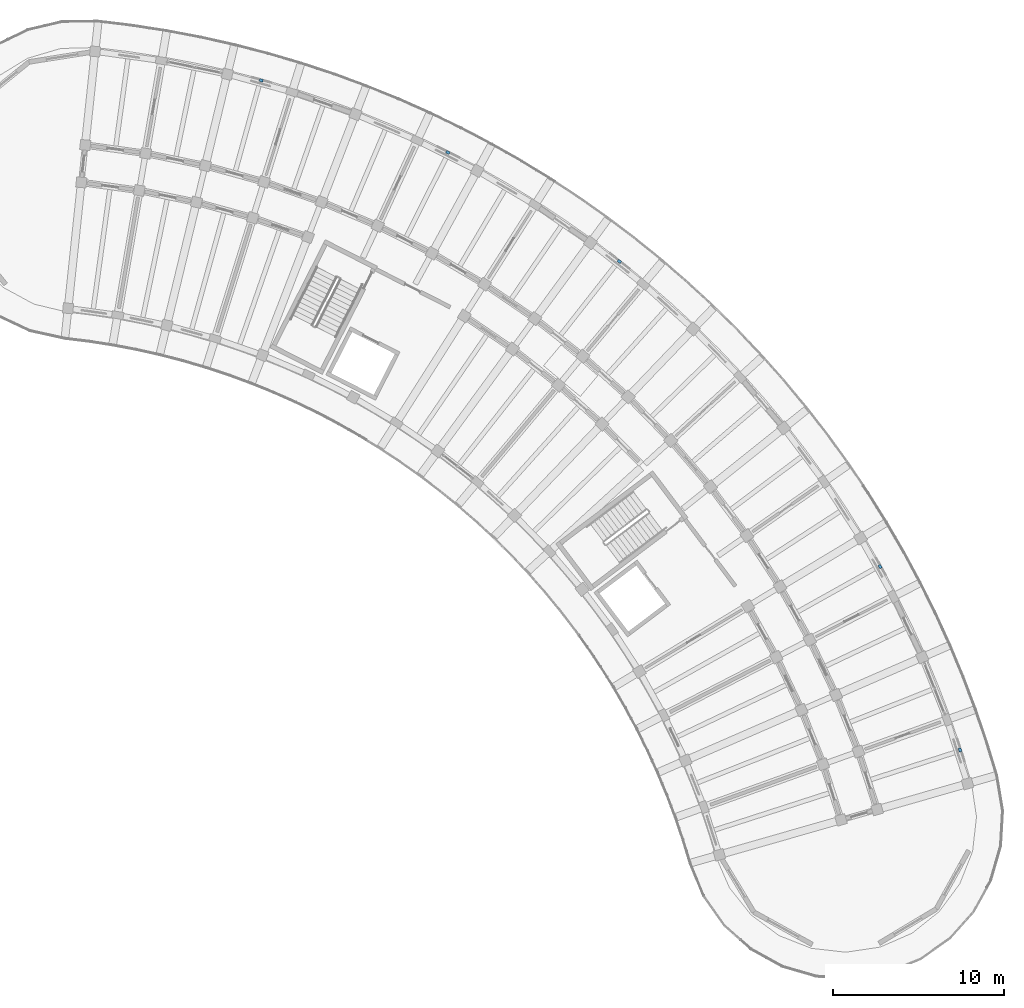
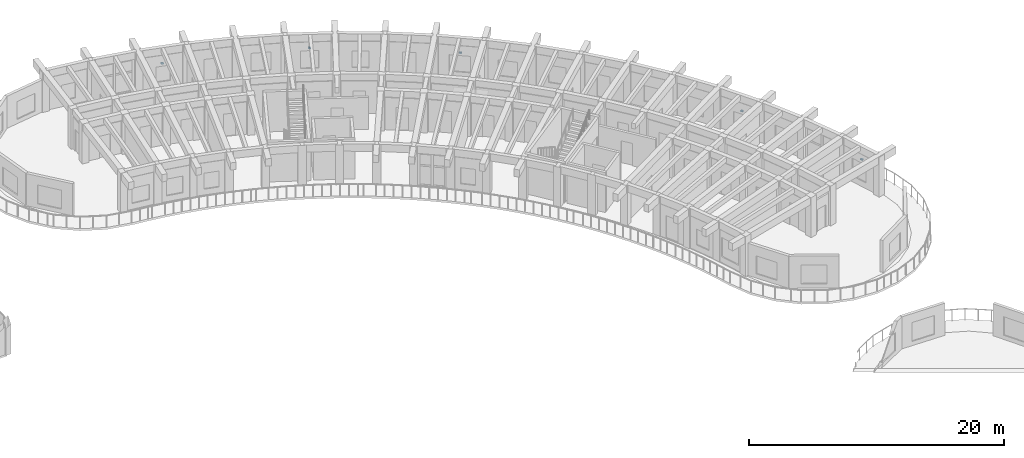
# One storey, part 106 of 128: 5 discrete accessories.
"""IFC4 building model written with IfcOpenShell, lengths in metres."""

from ifc_helpers import new_model, si_unit, direction, frame, origin, origin_2d, place, context, subcontext, project, spatial, rectangle, extrude, material, type_object, element, save


model = new_model("IFC4")

# Units and contexts
model_context = context("Model", 3, precision=1e-05, world=origin(), true_north=direction((0.0, 1.0)))
body_context = subcontext(model_context, "Body", "Model", "MODEL_VIEW")
ifc_project = project(units=[si_unit("LENGTHUNIT", "METRE"), si_unit("AREAUNIT", "SQUARE_METRE"), si_unit("VOLUMEUNIT", "CUBIC_METRE"), si_unit("PLANEANGLEUNIT", "RADIAN"), si_unit("MASSUNIT", "GRAM", prefix="KILO")], contexts=[model_context])

# Site, building, storey
site_placement = place(None, origin())
site = spatial("IfcSite", under=ifc_project, at=site_placement, CompositionType="ELEMENT")
building_placement = place(site_placement, origin())
building = spatial("IfcBuilding", under=site, at=building_placement, Name="Tanwirah Colonnade Gardens", CompositionType="ELEMENT")
storey_placement = place(building_placement, frame((0.0, 0.0, 4.760009765625)))
storey = spatial("IfcBuildingStorey", under=building, at=storey_placement, Name="L01", CompositionType="ELEMENT", Elevation=4.760009765625)

# Discrete accessories
ifc_material = material(Name="Steel S355", Category="steel")
discrete_accessory_type = type_object("IfcDiscreteAccessoryType", Name="BRK-SS1", PredefinedType="BRACKET", material=ifc_material)
for number, where, z_axis, x_axis, name in (
    (1, (177.802490234375, 78.581787109375, 2.25), (0.0, 0.0, 1.0), (-0.307172918338, 0.951653717609, 0.0), "Solar screen support bracket B-L01-00"),
    (2, (173.12646484375, 89.307373046875, 2.030029296875), (0.0, 0.0, 1.0), (-0.488197768879, 0.872733028171, 0.0), "Solar screen support bracket B-L01-03"),
    (3, (157.88330078125, 107.147216796875, 2.135009765625), (0.0, 0.0, 1.0), (-0.786815172933, 0.61718869371, 0.0), "Solar screen support bracket B-L01-09"),
    (4, (147.857666015625, 113.5205078125, 2.25), (0.0, 0.0, 1.0), (-0.892760931745, 0.450530707887, 0.0), "Solar screen support bracket B-L01-12"),
    (5, (136.9423828125, 117.734619140625, 2.030029296875), (0.0, 0.0, 1.0), (-0.96388910862, 0.266303935914, 0.0), "Solar screen support bracket B-L01-15"),
):
    element("IfcDiscreteAccessory", number, at=place(storey_placement, frame(where, z_axis=z_axis, x_axis=x_axis)), inside=storey, type_object=discrete_accessory_type, Name=name, PredefinedType="BRACKET", context=body_context, shape_type="SweptSolid", body=[
        extrude(rectangle(XDim=0.219970703125, YDim=0.159912109375, at=origin_2d()), origin(), (0.0, 0.0, 1.0), 0.1201171875),
    ])

save(model, "model.ifc")
